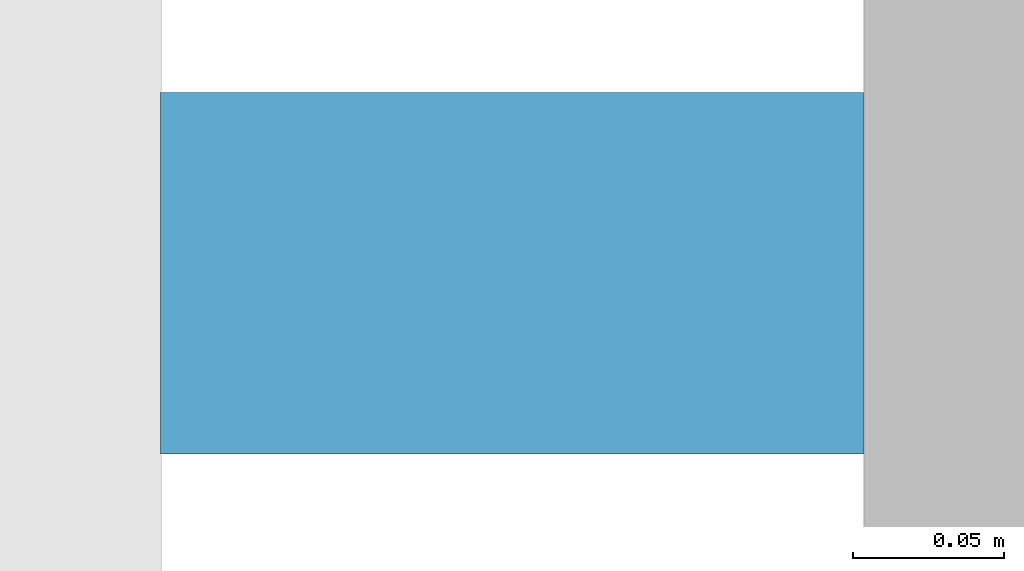
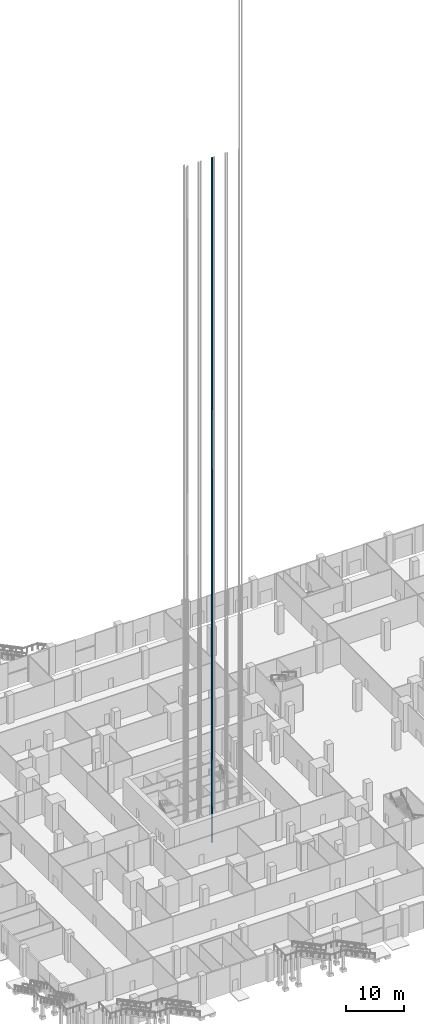
# One storey, part 45 of 68: 1 discrete accessory.
"""IFC4 building model written with IfcOpenShell, lengths in metres."""

from ifc_helpers import new_model, si_unit, direction, frame, origin, origin_2d, place, context, subcontext, project, spatial, rectangle, extrude, element, save


model = new_model("IFC4")

# Units and contexts
model_context = context("Model", 3, precision=1e-05, world=origin(), true_north=direction((0.0, 1.0)))
body_context = subcontext(model_context, "Body", "Model", "MODEL_VIEW")
ifc_project = project(units=[si_unit("LENGTHUNIT", "METRE"), si_unit("AREAUNIT", "SQUARE_METRE"), si_unit("VOLUMEUNIT", "CUBIC_METRE"), si_unit("PLANEANGLEUNIT", "RADIAN"), si_unit("MASSUNIT", "GRAM", prefix="KILO")], contexts=[model_context])

# Site, building, storey
site_placement = place(None, origin())
site = spatial("IfcSite", under=ifc_project, at=site_placement, CompositionType="ELEMENT")
building_placement = place(site_placement, origin())
building = spatial("IfcBuilding", under=site, at=building_placement, Name="Altepetl Exchange Towers", CompositionType="ELEMENT")
storey_placement = place(building_placement, origin())
storey = spatial("IfcBuildingStorey", under=building, at=storey_placement, Name="L00 Ground concourse", CompositionType="ELEMENT", Elevation=0.0)

# Discrete accessory
discrete_accessory_placement = place(storey_placement, frame((49.283203125, 42.800048828125, -1.60009765625)))
element("IfcDiscreteAccessory", 1, at=discrete_accessory_placement, inside=storey, Name="Guide rail P3", ObjectType="GUIDE RAIL", PredefinedType="USERDEFINED", context=body_context, shape_type="SweptSolid", body=[
    extrude(rectangle(XDim=0.2333984375, YDim=0.1201171875, at=origin_2d()), origin(), (0.0, 0.0, 1.0), 144.85009765625),
])

save(model, "model.ifc")
